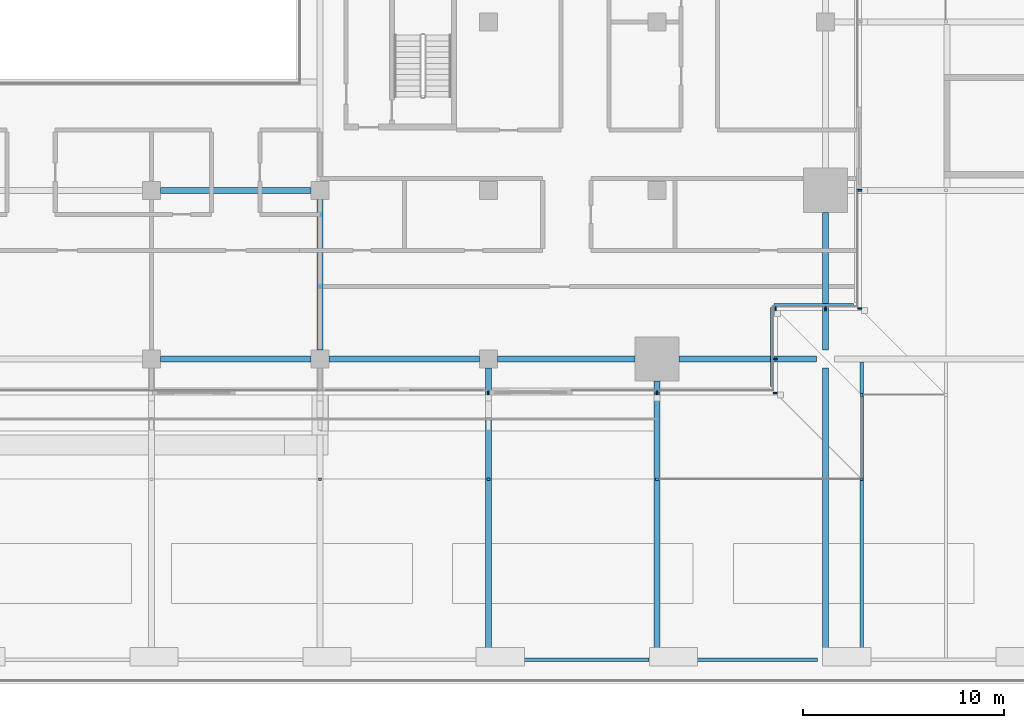
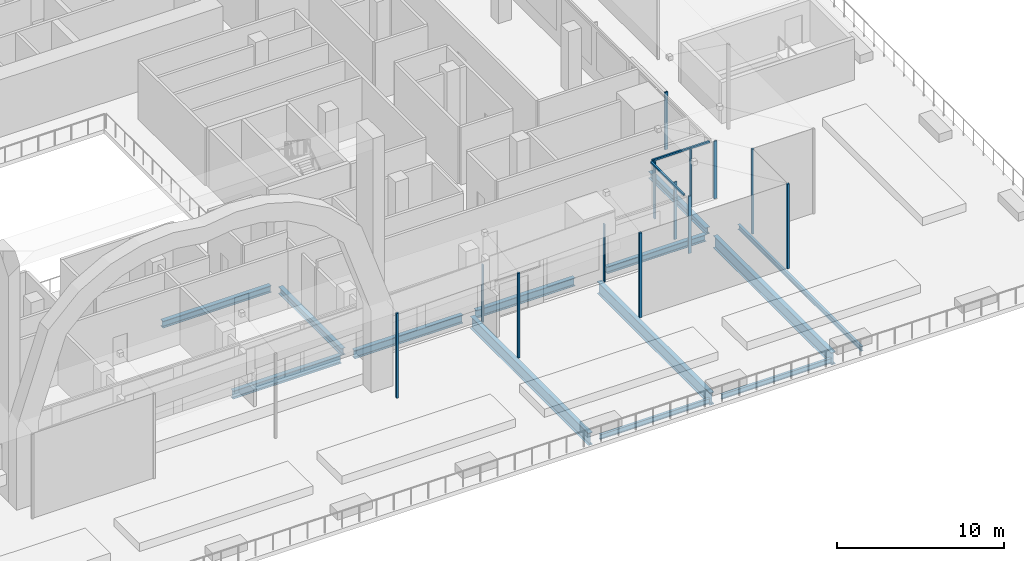
# One storey, part 10 of 60: 15 members, 13 beams, 4 elements without a shape of their own.
"""IFC4 building model written with IfcOpenShell, lengths in metres."""

from ifc_helpers import new_model, si_unit, direction, frame, origin, origin_2d, place, context, subcontext, project, spatial, rectangle, i_section, extrude, material, material_profile, profile_set, type_object, element, aggregate, save


model = new_model("IFC4")

# Units and contexts
model_context = context("Model", 3, precision=1e-05, world=origin(), true_north=direction((0.0, 1.0)))
body_context = subcontext(model_context, "Body", "Model", "MODEL_VIEW")
ifc_project = project(units=[si_unit("LENGTHUNIT", "METRE"), si_unit("AREAUNIT", "SQUARE_METRE"), si_unit("VOLUMEUNIT", "CUBIC_METRE"), si_unit("PLANEANGLEUNIT", "RADIAN"), si_unit("MASSUNIT", "GRAM", prefix="KILO")], contexts=[model_context])

# Site, building, storey
site_placement = place(None, origin())
site = spatial("IfcSite", under=ifc_project, at=site_placement, CompositionType="ELEMENT")
building_placement = place(site_placement, origin())
building = spatial("IfcBuilding", under=site, at=building_placement, Name="Saffron Gate Tower", CompositionType="ELEMENT")
storey_placement = place(building_placement, frame((0.0, 0.0, 19.199951171875)))
storey = spatial("IfcBuildingStorey", under=building, at=storey_placement, Name="L03", CompositionType="ELEMENT", Elevation=19.199951171875)

# Beams
ifc_material_1 = material(Name="Structural steel S355", Category="steel")
ifc_material_profile_1 = material_profile(ifc_material_1, i_section(OverallWidth=0.169921875, OverallDepth=0.360107421875, WebThickness=0.008056640625, FlangeThickness=0.0126953125, FilletRadius=0.01806640625, at=origin_2d()))
ifc_profile_set_1 = profile_set([ifc_material_profile_1], Name="Structural steel S355")
beam_type_1 = type_object("IfcBeamType", Name="B1 IPE 360", PredefinedType="BEAM", material=ifc_profile_set_1)
for number, where, z_axis, x_axis, name in (
    (1, (109.0, 16.800048828125, -0.47998046875), (1.0, 0.0, 0.0), (0.0, 1.0, 0.0), "B1 PODIUM EDGE BEAM"),
    (2, (117.39990234375, 16.800048828125, -0.47998046875), (1.0, 0.0, 0.0), (0.0, 1.0, 0.0), "B1 PODIUM EDGE BEAM"),
):
    element("IfcBeam", number, at=place(storey_placement, frame(where, z_axis=z_axis, x_axis=x_axis)), inside=storey, type_object=beam_type_1, Name=name, PredefinedType="BEAM", context=body_context, shape_type="SweptSolid", body=[
        extrude(i_section(OverallWidth=0.169921875, OverallDepth=0.360107421875, WebThickness=0.008056640625, FlangeThickness=0.0126953125, FilletRadius=0.01806640625, at=origin_2d()), origin(), (0.0, 0.0, 1.0), 7.60009765625),
    ])
ifc_material_profile_2 = material_profile(ifc_material_1, i_section(OverallWidth=0.300048828125, OverallDepth=0.590087890625, WebThickness=0.012939453125, FlangeThickness=0.02490234375, FilletRadius=0.027099609375, at=origin_2d()))
ifc_profile_set_2 = profile_set([ifc_material_profile_2], Name="Structural steel S355")
beam_type_2 = type_object("IfcBeamType", Name="B14 HEA 600", PredefinedType="SPANDREL", material=ifc_profile_set_2)
for number, where, z_axis, x_axis, name in (
    (3, (92.25, 31.800048828125, -0.594970703125), (1.0, 0.0, 0.0), (0.0, 1.0, 0.0), "B14 SPANDREL BEAM"),
    (4, (100.64990234375, 31.800048828125, -0.594970703125), (1.0, 0.0, 0.0), (0.0, 1.0, 0.0), "B14 SPANDREL BEAM"),
):
    element("IfcBeam", number, at=place(storey_placement, frame(where, z_axis=z_axis, x_axis=x_axis)), inside=storey, type_object=beam_type_2, Name=name, PredefinedType="SPANDREL", context=body_context, shape_type="SweptSolid", body=[
        extrude(i_section(OverallWidth=0.300048828125, OverallDepth=0.590087890625, WebThickness=0.012939453125, FlangeThickness=0.02490234375, FilletRadius=0.027099609375, at=origin_2d()), origin(), (0.0, 0.0, 1.0), 7.5),
    ])
beam_1_placement = place(storey_placement, frame((109.050048828125, 31.800048828125, -0.594970703125), z_axis=(1.0, 0.0, 0.0), x_axis=(0.0, 1.0, 0.0)))
element("IfcBeam", 5, at=beam_1_placement, inside=storey, type_object=beam_type_2, Name="B14 SPANDREL BEAM", PredefinedType="SPANDREL", context=body_context, shape_type="SweptSolid", body=[
    extrude(i_section(OverallWidth=0.300048828125, OverallDepth=0.590087890625, WebThickness=0.012939453125, FlangeThickness=0.02490234375, FilletRadius=0.027099609375, at=origin_2d()), origin(), (0.0, 0.0, 1.0), 6.849853515625),
])
ifc_material_profile_3 = material_profile(ifc_material_1, i_section(OverallWidth=0.300048828125, OverallDepth=0.889892578125, WebThickness=0.01611328125, FlangeThickness=0.030029296875, FilletRadius=0.030029296875, at=origin_2d()))
ifc_profile_set_3 = profile_set([ifc_material_profile_3], Name="Structural steel S355")
beam_type_3 = type_object("IfcBeamType", Name="B19 HEA 900", PredefinedType="BEAM", material=ifc_profile_set_3)
beam_2_placement = place(storey_placement, frame((108.60009765625, 17.199951171875, -0.744873046875), z_axis=(0.0, 1.0, 0.0), x_axis=(-1.0, 0.0, 0.0)))
element("IfcBeam", 6, at=beam_2_placement, inside=storey, type_object=beam_type_3, Name="B19 PODIUM RING GIRDER", PredefinedType="BEAM", context=body_context, shape_type="SweptSolid", body=[
    extrude(i_section(OverallWidth=0.300048828125, OverallDepth=0.889892578125, WebThickness=0.01611328125, FlangeThickness=0.030029296875, FilletRadius=0.030029296875, at=origin_2d()), origin(), (0.0, 0.0, 1.0), 14.150146484375),
])
beam_3_placement = place(storey_placement, frame((117.0, 17.199951171875, -0.744873046875), z_axis=(0.0, 1.0, 0.0), x_axis=(-1.0, 0.0, 0.0)))
element("IfcBeam", 7, at=beam_3_placement, inside=storey, type_object=beam_type_3, Name="B19 PODIUM RING GIRDER", PredefinedType="BEAM", context=body_context, shape_type="SweptSolid", body=[
    extrude(i_section(OverallWidth=0.300048828125, OverallDepth=0.889892578125, WebThickness=0.01611328125, FlangeThickness=0.030029296875, FilletRadius=0.030029296875, at=origin_2d()), origin(), (0.0, 0.0, 1.0), 13.5),
])
beam_4_placement = place(storey_placement, frame((125.39990234375, 17.199951171875, -0.744873046875), z_axis=(0.0, 1.0, 0.0), x_axis=(-1.0, 0.0, 0.0)))
element("IfcBeam", 8, at=beam_4_placement, inside=storey, type_object=beam_type_3, Name="B19 PODIUM RING GIRDER", PredefinedType="BEAM", context=body_context, shape_type="SweptSolid", body=[
    extrude(i_section(OverallWidth=0.300048828125, OverallDepth=0.889892578125, WebThickness=0.01611328125, FlangeThickness=0.030029296875, FilletRadius=0.030029296875, at=origin_2d()), origin(), (0.0, 0.0, 1.0), 14.150146484375),
])
ifc_material_profile_4 = material_profile(ifc_material_1, i_section(OverallWidth=0.300048828125, OverallDepth=0.489990234375, WebThickness=0.011962890625, FlangeThickness=0.02294921875, FilletRadius=0.027099609375, at=origin_2d()))
ifc_profile_set_4 = profile_set([ifc_material_profile_4], Name="Structural steel S355")
beam_type_4 = type_object("IfcBeamType", Name="B8 HEA 500", PredefinedType="BEAM", material=ifc_profile_set_4)
beam_5_placement = place(storey_placement, frame((118.10009765625, 31.800048828125, -0.544921875), z_axis=(1.0, 0.0, 0.0), x_axis=(0.0, 1.0, 0.0)))
element("IfcBeam", 9, at=beam_5_placement, inside=storey, type_object=beam_type_4, Name="B8 TERRACE BEAM", PredefinedType="BEAM", context=body_context, shape_type="SweptSolid", body=[
    extrude(i_section(OverallWidth=0.300048828125, OverallDepth=0.489990234375, WebThickness=0.011962890625, FlangeThickness=0.02294921875, FilletRadius=0.027099609375, at=origin_2d()), origin(), (0.0, 0.0, 1.0), 6.849853515625),
])
beam_6_placement = place(storey_placement, frame((125.39990234375, 32.25, -0.544921875), z_axis=(0.0, 1.0, 0.0), x_axis=(-1.0, 0.0, 0.0)))
element("IfcBeam", 10, at=beam_6_placement, inside=storey, type_object=beam_type_4, Name="B8 TERRACE BEAM", PredefinedType="BEAM", context=body_context, shape_type="SweptSolid", body=[
    extrude(i_section(OverallWidth=0.300048828125, OverallDepth=0.489990234375, WebThickness=0.011962890625, FlangeThickness=0.02294921875, FilletRadius=0.027099609375, at=origin_2d()), origin(), (0.0, 0.0, 1.0), 6.85009765625),
])
ifc_material_profile_5 = material_profile(ifc_material_1, i_section(OverallWidth=0.300048828125, OverallDepth=0.5, WebThickness=0.014404296875, FlangeThickness=0.028076171875, FilletRadius=0.027099609375, at=origin_2d()))
ifc_profile_set_5 = profile_set([ifc_material_profile_5], Name="Structural steel S355")
beam_type_5 = type_object("IfcBeamType", Name="B9 HEB 500", PredefinedType="BEAM", material=ifc_profile_set_5)
for number, where, z_axis, x_axis, name in (
    (11, (100.199951171875, 32.25, -0.550048828125), (0.0, 1.0, 0.0), (-1.0, 0.0, 0.0), "B9 FLOOR GIRDER"),
    (12, (92.25, 40.199951171875, -0.550048828125), (1.0, 0.0, 0.0), (0.0, 1.0, 0.0), "B9 FLOOR GIRDER"),
):
    element("IfcBeam", number, at=place(storey_placement, frame(where, z_axis=z_axis, x_axis=x_axis)), inside=storey, type_object=beam_type_5, Name=name, PredefinedType="BEAM", context=body_context, shape_type="SweptSolid", body=[
        extrude(i_section(OverallWidth=0.300048828125, OverallDepth=0.5, WebThickness=0.014404296875, FlangeThickness=0.028076171875, FilletRadius=0.027099609375, at=origin_2d()), origin(), (0.0, 0.0, 1.0), 7.5),
    ])

# Curtain wall, member
ifc_material_2 = material(Name="Aluminium, bronze anodised", Category="aluminium")
curtain_wall_type = type_object("IfcCurtainWallType", Name="CWS6 curtain wall tall storeys", PredefinedType="NOTDEFINED", material=ifc_material_2)
curtain_wall_1_placement = place(storey_placement, origin())
curtain_wall_1 = element("IfcCurtainWall", 13, at=curtain_wall_1_placement, inside=storey, type_object=curtain_wall_type, Name="CWS6 run 2", PredefinedType="NOTDEFINED")
ifc_material_profile_6 = material_profile(ifc_material_2, rectangle(XDim=0.1201171875, YDim=0.1201171875, at=origin_2d()))
ifc_profile_set_6 = profile_set([ifc_material_profile_6], Name="Aluminium, bronze anodised")
member_type_1 = type_object("IfcMemberType", Name="CWS6 head transom", PredefinedType="USERDEFINED", material=ifc_profile_set_6)
member_1_placement = place(storey_placement, frame((122.7119140625, 30.407958984375, 4.14013671875), z_axis=(0.0, 1.0, 0.0), x_axis=(-1.0, 0.0, 0.0)))
member_1 = element("IfcMember", 14, at=member_1_placement, type_object=member_type_1, Name="CWS6 head transom", ObjectType="TRANSOM", PredefinedType="USERDEFINED", context=body_context, shape_type="SweptSolid", body=[
    extrude(rectangle(XDim=0.1201171875, YDim=0.1201171875, at=origin_2d()), origin(), (0.0, 0.0, 1.0), 3.9599609375),
])

curtain_wall_2_placement = place(storey_placement, origin())
curtain_wall_2 = element("IfcCurtainWall", 15, at=curtain_wall_2_placement, inside=storey, type_object=curtain_wall_type, Name="CWS6 run 3", PredefinedType="NOTDEFINED")
member_2_placement = place(storey_placement, frame((122.83203125, 34.488037109375, 4.14013671875), z_axis=(1.0, 0.0, 0.0), x_axis=(0.0, 1.0, 0.0)))
member_2 = element("IfcMember", 16, at=member_2_placement, type_object=member_type_1, Name="CWS6 head transom", ObjectType="TRANSOM", PredefinedType="USERDEFINED", context=body_context, shape_type="SweptSolid", body=[
    extrude(rectangle(XDim=0.1201171875, YDim=0.1201171875, at=origin_2d()), origin(), (0.0, 0.0, 1.0), 3.9599609375),
])

# Curtain wall, members
curtain_wall_3_placement = place(storey_placement, origin())
curtain_wall_3 = element("IfcCurtainWall", 17, at=curtain_wall_3_placement, inside=storey, type_object=curtain_wall_type, Name="CWS6 run 1", PredefinedType="NOTDEFINED")
ifc_material_profile_7 = material_profile(ifc_material_2, rectangle(XDim=0.199951171875, YDim=0.080078125, at=origin_2d()))
ifc_profile_set_7 = profile_set([ifc_material_profile_7], Name="Aluminium, bronze anodised")
member_type_2 = type_object("IfcMemberType", Name="CWS6 mullion 80x200", PredefinedType="MULLION", material=ifc_profile_set_7)
member_3_placement = place(storey_placement, frame((108.60009765625, 30.10009765625, 0.0), z_axis=(0.0, 0.0, 1.0), x_axis=(0.0, 1.0, 0.0)))
member_3 = element("IfcMember", 18, at=member_3_placement, type_object=member_type_2, Name="CWS6 mullion 8", PredefinedType="MULLION", context=body_context, shape_type="SweptSolid", body=[
    extrude(rectangle(XDim=0.199951171875, YDim=0.080078125, at=origin_2d()), origin(), (0.0, 0.0, 1.0), 4.199951171875),
])
member_4_placement = place(storey_placement, frame((117.0, 30.10009765625, 0.0), z_axis=(0.0, 0.0, 1.0), x_axis=(0.0, 1.0, 0.0)))
member_4 = element("IfcMember", 19, at=member_4_placement, type_object=member_type_2, Name="CWS6 mullion 9", PredefinedType="MULLION", context=body_context, shape_type="SweptSolid", body=[
    extrude(rectangle(XDim=0.199951171875, YDim=0.080078125, at=origin_2d()), origin(), (0.0, 0.0, 1.0), 4.199951171875),
])
aggregate(curtain_wall_3, [member_3, member_4])

# Member
member_5_placement = place(storey_placement, frame((122.89990234375, 30.10009765625, 0.0), z_axis=(0.0, 0.0, 1.0), x_axis=(-1.0, 0.0, 0.0)))
member_5 = element("IfcMember", 20, at=member_5_placement, type_object=member_type_2, Name="CWS6 mullion 1", PredefinedType="MULLION", context=body_context, shape_type="SweptSolid", body=[
    extrude(rectangle(XDim=0.199951171875, YDim=0.080078125, at=origin_2d()), origin(), (0.0, 0.0, 1.0), 4.199951171875),
])

member_6_placement = place(storey_placement, frame((122.89990234375, 31.800048828125, 0.0), z_axis=(0.0, 0.0, 1.0), x_axis=(-1.0, 0.0, 0.0)))
member_6 = element("IfcMember", 21, at=member_6_placement, type_object=member_type_2, Name="CWS6 mullion 2", PredefinedType="MULLION", context=body_context, shape_type="SweptSolid", body=[
    extrude(rectangle(XDim=0.199951171875, YDim=0.080078125, at=origin_2d()), origin(), (0.0, 0.0, 1.0), 4.199951171875),
])

aggregate(curtain_wall_1, [member_5, member_6, member_1])

member_7_placement = place(storey_placement, frame((122.89990234375, 34.300048828125, 0.0), z_axis=(0.0, 0.0, 1.0), x_axis=(0.0, 1.0, 0.0)))
member_7 = element("IfcMember", 22, at=member_7_placement, type_object=member_type_2, Name="CWS6 mullion 1", PredefinedType="MULLION", context=body_context, shape_type="SweptSolid", body=[
    extrude(rectangle(XDim=0.199951171875, YDim=0.080078125, at=origin_2d()), origin(), (0.0, 0.0, 1.0), 4.199951171875),
])

member_8_placement = place(storey_placement, frame((125.39990234375, 34.300048828125, 0.0), z_axis=(0.0, 0.0, 1.0), x_axis=(0.0, 1.0, 0.0)))
member_8 = element("IfcMember", 23, at=member_8_placement, type_object=member_type_2, Name="CWS6 mullion 2", PredefinedType="MULLION", context=body_context, shape_type="SweptSolid", body=[
    extrude(rectangle(XDim=0.199951171875, YDim=0.080078125, at=origin_2d()), origin(), (0.0, 0.0, 1.0), 4.199951171875),
])

aggregate(curtain_wall_2, [member_7, member_8, member_2])

# Curtain wall, members
curtain_wall_4_placement = place(storey_placement, origin())
curtain_wall_4 = element("IfcCurtainWall", 24, at=curtain_wall_4_placement, inside=storey, type_object=curtain_wall_type, Name="CWS6 run 4", PredefinedType="NOTDEFINED")
member_9_placement = place(storey_placement, frame((127.10009765625, 34.300048828125, 0.0), z_axis=(0.0, 0.0, 1.0), x_axis=(-1.0, 0.0, 0.0)))
member_9 = element("IfcMember", 25, at=member_9_placement, type_object=member_type_2, Name="CWS6 mullion 1", PredefinedType="MULLION", context=body_context, shape_type="SweptSolid", body=[
    extrude(rectangle(XDim=0.199951171875, YDim=0.080078125, at=origin_2d()), origin(), (0.0, 0.0, 1.0), 4.199951171875),
])
member_10_placement = place(storey_placement, frame((127.10009765625, 40.199951171875, 0.0), z_axis=(0.0, 0.0, 1.0), x_axis=(-1.0, 0.0, 0.0)))
member_10 = element("IfcMember", 26, at=member_10_placement, type_object=member_type_2, Name="CWS6 mullion 2", PredefinedType="MULLION", context=body_context, shape_type="SweptSolid", body=[
    extrude(rectangle(XDim=0.199951171875, YDim=0.080078125, at=origin_2d()), origin(), (0.0, 0.0, 1.0), 4.199951171875),
])
aggregate(curtain_wall_4, [member_9, member_10])

# Members
ifc_material_profile_8 = material_profile(ifc_material_1, rectangle(XDim=0.139892578125, YDim=0.139892578125, at=origin_2d()))
ifc_profile_set_8 = profile_set([ifc_material_profile_8], Name="Structural steel S355")
member_type_3 = type_object("IfcMemberType", Name="HL1 hall post", PredefinedType="POST", material=ifc_profile_set_8)
for number, where, z_axis, x_axis, name in (
    (27, (100.199951171875, 25.800048828125, 0.0), (0.0, 0.0, 1.0), (1.0, 0.0, 0.0), "HALL POST"),
    (28, (108.60009765625, 25.800048828125, 0.0), (0.0, 0.0, 1.0), (1.0, 0.0, 0.0), "HALL POST"),
    (29, (117.0, 25.800048828125, 0.0), (0.0, 0.0, 1.0), (1.0, 0.0, 0.0), "HALL POST"),
    (30, (127.199951171875, 25.800048828125, 0.0), (0.0, 0.0, 1.0), (1.0, 0.0, 0.0), "HALL POST"),
    (31, (127.199951171875, 30.0, 0.0), (0.0, 0.0, 1.0), (1.0, 0.0, 0.0), "HALL POST"),
):
    element("IfcMember", number, at=place(storey_placement, frame(where, z_axis=z_axis, x_axis=x_axis)), inside=storey, type_object=member_type_3, Name=name, PredefinedType="POST", context=body_context, shape_type="SweptSolid", body=[
        extrude(rectangle(XDim=0.139892578125, YDim=0.139892578125, at=origin_2d()), origin(), (0.0, 0.0, 1.0), 6.18994140625),
    ])

# Beam
ifc_material_profile_9 = material_profile(ifc_material_1, i_section(OverallWidth=0.169921875, OverallDepth=0.360107421875, WebThickness=0.008056640625, FlangeThickness=0.0126953125, FilletRadius=0.01806640625, at=origin_2d()))
ifc_profile_set_9 = profile_set([ifc_material_profile_9], Name="Structural steel S355")
beam_type_6 = type_object("IfcBeamType", Name="HL5 hall kerb beam", PredefinedType="BEAM", material=ifc_profile_set_9)
beam_7_placement = place(storey_placement, frame((127.199951171875, 16.885009765625, -0.47998046875), z_axis=(0.0, 1.0, 0.0), x_axis=(-1.0, 0.0, 0.0)))
element("IfcBeam", 32, at=beam_7_placement, inside=storey, type_object=beam_type_6, Name="HALL KERB BEAM", PredefinedType="BEAM", context=body_context, shape_type="SweptSolid", body=[
    extrude(i_section(OverallWidth=0.169921875, OverallDepth=0.360107421875, WebThickness=0.008056640625, FlangeThickness=0.0126953125, FilletRadius=0.01806640625, at=origin_2d()), origin(), (0.0, 0.0, 1.0), 14.764892578125),
])

save(model, "model.ifc")
